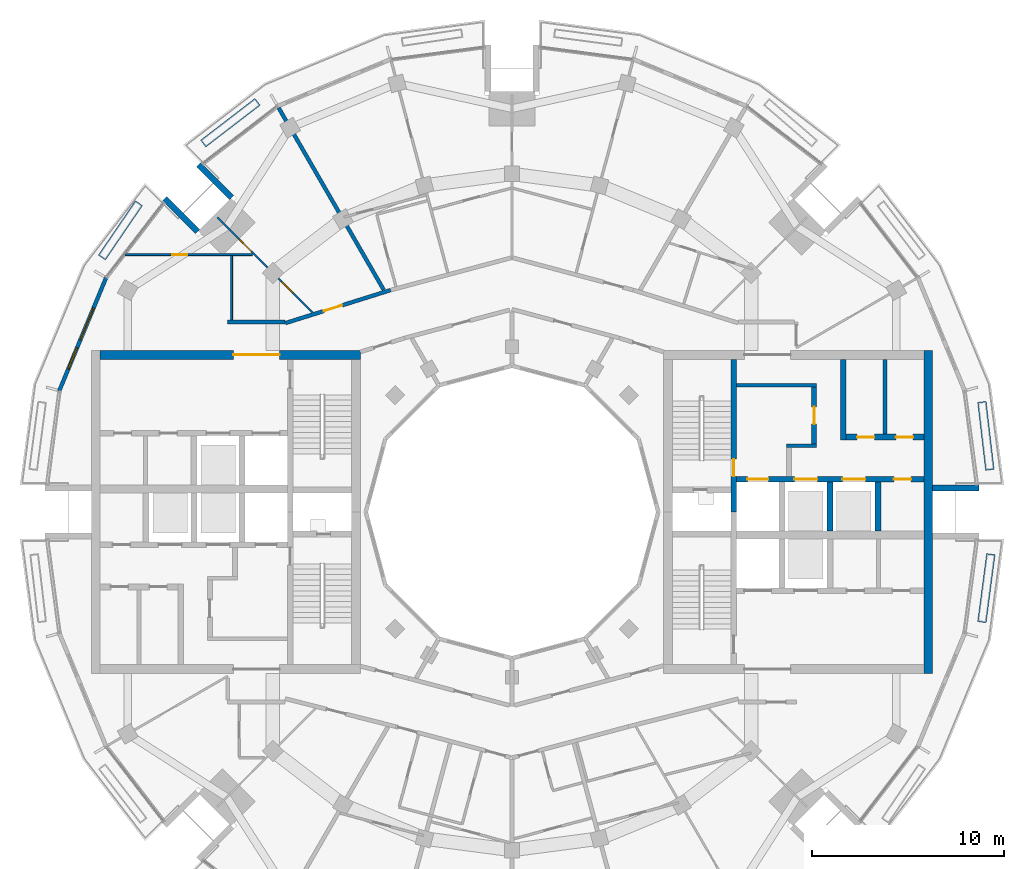
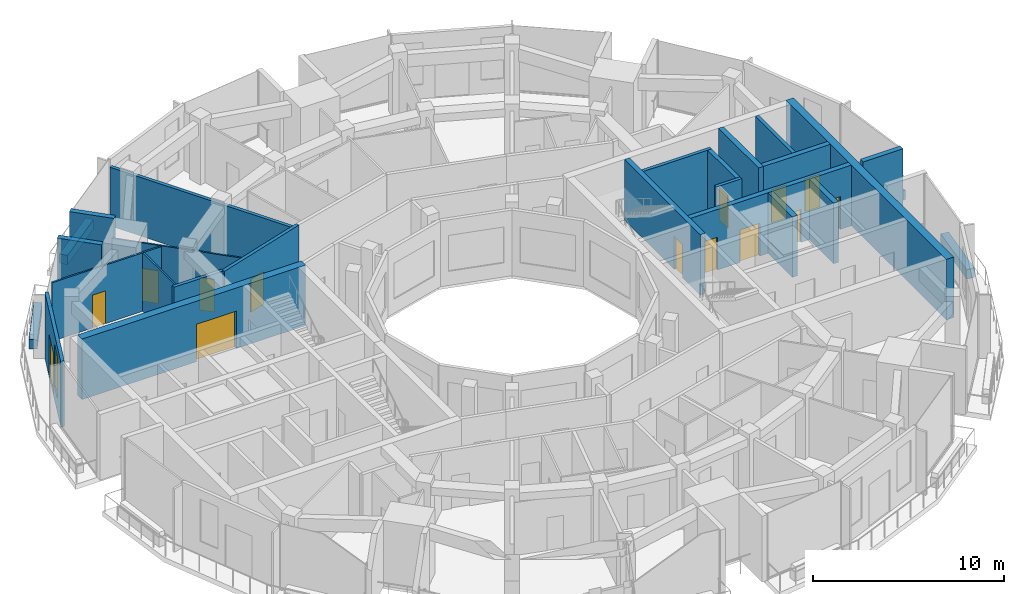
# One storey, part 12 of 17: 26 walls, 14 doors, 1 window, 15 openings.
"""IFC4 building model written with IfcOpenShell, lengths in metres."""

from ifc_helpers import new_model, si_unit, direction, frame, frame_2d, origin, place, context, subcontext, project, spatial, rectangle, extrude, material, layer, layer_set, type_object, element, fill, save


model = new_model("IFC4")

# Units and contexts
model_context = context("Model", 3, precision=1e-05, world=origin(), true_north=direction((0.0, 1.0)))
body_context = subcontext(model_context, "Body", "Model", "MODEL_VIEW")
ifc_project = project(units=[si_unit("LENGTHUNIT", "METRE"), si_unit("AREAUNIT", "SQUARE_METRE"), si_unit("VOLUMEUNIT", "CUBIC_METRE"), si_unit("PLANEANGLEUNIT", "RADIAN"), si_unit("MASSUNIT", "GRAM", prefix="KILO")], contexts=[model_context])

# Site, building, storey
site_placement = place(None, origin())
site = spatial("IfcSite", under=ifc_project, at=site_placement, CompositionType="ELEMENT")
building_placement = place(site_placement, origin())
building = spatial("IfcBuilding", under=site, at=building_placement, Name="Torre Brocal", CompositionType="ELEMENT")
storey_placement = place(building_placement, frame((0.0, 0.0, 275.699951171875)))
storey = spatial("IfcBuildingStorey", under=building, at=storey_placement, Name="L63", CompositionType="ELEMENT", Elevation=275.699951171875)

# Walls
ifc_material_1 = material(Name="Masonry block", Category="masonry")
ifc_layer_1 = layer(ifc_material_1, 0.199951171875)
ifc_layer_set_1 = layer_set([ifc_layer_1], Name="Masonry block")
wall_type_1 = type_object("IfcWallType", Name="CORE PARTITION 200", PredefinedType="PARTITIONING", material=ifc_layer_set_1)
wall_1_placement = place(storey_placement, frame((99.425048828125, 79.050048828125, 0.0), z_axis=(0.0, 0.0, 1.0), x_axis=(0.0, 1.0, 0.0)))
element("IfcWall", 1, at=wall_1_placement, inside=storey, type_object=wall_type_1, Name="Wall CP200", PredefinedType="PARTITIONING", context=body_context, shape_type="SweptSolid", body=[
    extrude(rectangle(XDim=3.89990234375, YDim=0.199951171875, at=frame_2d((1.949951171875, 0.0))), origin(), (0.0, 0.0, 1.0), 3.880126953125),
])
ifc_material_2 = material(Name="Concrete C50", Category="concrete")
ifc_layer_2 = layer(ifc_material_2, 0.199951171875)
ifc_layer_set_2 = layer_set([ifc_layer_2], Name="Concrete C50")
wall_type_2 = type_object("IfcWallType", Name="CORE WALL 200 C50", PredefinedType="SHEAR", material=ifc_layer_set_2)
wall_2_placement = place(storey_placement, frame((91.699951171875, 81.60009765625, 0.0), z_axis=(0.0, 0.0, 1.0), x_axis=(1.0, 0.0, 0.0)))
element("IfcWall", 2, at=wall_2_placement, inside=storey, type_object=wall_type_2, Name="Wall CW200-50", PredefinedType="SHEAR", context=body_context, shape_type="SweptSolid", body=[
    extrude(rectangle(XDim=4.150146484375, YDim=0.199951171875, at=frame_2d((2.0751953125, 0.0))), origin(), (0.0, 0.0, 1.0), 3.880126953125),
])
wall_3_placement = place(storey_placement, frame((94.300048828125, 78.449951171875, 0.0), z_axis=(0.0, 0.0, 1.0), x_axis=(1.0, 0.0, 0.0)))
element("IfcWall", 3, at=wall_3_placement, inside=storey, type_object=wall_type_2, Name="Wall CW200-50", PredefinedType="SHEAR", context=body_context, shape_type="SweptSolid", body=[
    extrude(rectangle(XDim=1.550048828125, YDim=0.199951171875, at=frame_2d((0.77490234375, 0.0))), origin(), (0.0, 0.0, 1.0), 3.880126953125),
])

# Wall, opening, door
ifc_material_3 = material(Name="Concrete C50", Category="concrete")
ifc_layer_3 = layer(ifc_material_3, 0.25)
ifc_layer_set_3 = layer_set([ifc_layer_3], Name="Concrete C50")
wall_type_3 = type_object("IfcWallType", Name="CORE WALL 250 C50", PredefinedType="SHEAR", material=ifc_layer_set_3)
wall_4_placement = place(storey_placement, frame((95.72509765625, 78.550048828125, 0.0), z_axis=(0.0, 0.0, 1.0), x_axis=(0.0, 1.0, 0.0)))
wall_4 = element("IfcWall", 4, at=wall_4_placement, inside=storey, type_object=wall_type_3, Name="Wall CW250-50", PredefinedType="SHEAR", context=body_context, shape_type="SweptSolid", body=[
    extrude(rectangle(XDim=2.949951171875, YDim=0.25, at=frame_2d((1.47509765625, 0.0))), origin(), (0.0, 0.0, 1.0), 3.880126953125),
])
opening_1_placement = place(wall_4_placement, frame((1.02490234375, 0.0, 0.0)))
opening_1 = element("IfcOpeningElement", 5, at=opening_1_placement, cuts=wall_4, Name="Opening E-D26", PredefinedType="OPENING", context=body_context, shape_type="SweptSolid", body=[
    extrude(rectangle(XDim=0.89990234375, YDim=2.10009765625, at=frame_2d((0.449951171875, 1.050048828125))), frame((0.0, 0.135009765625, 0.0), z_axis=(0.0, -1.0, 0.0), x_axis=(1.0, 0.0, 0.0)), (0.0, 0.0, 1.0), 0.27001953125),
])
ifc_material_4 = material(Name="Steel A653", Category="steel")
door_type_1 = type_object("IfcDoorType", Name="LOBBY DOOR FD120 900X2100", OperationType="SINGLE_SWING_RIGHT", PredefinedType="DOOR", material=ifc_material_4)
door_1_placement = place(opening_1_placement, origin())
door_1 = element("IfcDoor", 6, at=door_1_placement, inside=storey, type_object=door_type_1, Name="Door E-D26", OperationType="SINGLE_SWING_LEFT", OverallHeight=2.10009765625, OverallWidth=0.89990234375, PredefinedType="DOOR", context=body_context, shape_type="SweptSolid", body=[
    extrude(rectangle(XDim=0.89990234375, YDim=2.10009765625, at=frame_2d((0.449951171875, 1.050048828125))), frame((0.0, 0.02490234375, 0.0), z_axis=(0.0, -1.0, 0.0), x_axis=(1.0, 0.0, 0.0)), (0.0, 0.0, 1.0), 0.050048828125),
])
fill(opening_1, door_1)

ifc_material_5 = material(Name="Concrete C50", Category="concrete")
ifc_layer_4 = layer(ifc_material_5, 0.300048828125)
ifc_layer_set_4 = layer_set([ifc_layer_4], Name="Concrete C50")
wall_type_4 = type_object("IfcWallType", Name="CORE WALL 300 C50", PredefinedType="SHEAR", material=ifc_layer_set_4)
wall_5_placement = place(storey_placement, frame((91.550048828125, 75.0, 0.0), z_axis=(0.0, 0.0, 1.0), x_axis=(0.0, 1.0, 0.0)))
wall_5 = element("IfcWall", 7, at=wall_5_placement, inside=storey, type_object=wall_type_4, Name="Wall CW300-50", PredefinedType="SHEAR", context=body_context, shape_type="SweptSolid", body=[
    extrude(rectangle(XDim=7.949951171875, YDim=0.300048828125, at=frame_2d((3.97509765625, 0.0))), origin(), (0.0, 0.0, 1.0), 3.880126953125),
])
opening_2_placement = place(wall_5_placement, frame((1.85009765625, 0.0, 0.0)))
opening_2 = element("IfcOpeningElement", 8, at=opening_2_placement, cuts=wall_5, Name="Opening E-D02", PredefinedType="OPENING", context=body_context, shape_type="SweptSolid", body=[
    extrude(rectangle(XDim=0.89990234375, YDim=2.10009765625, at=frame_2d((0.449951171875, 1.050048828125))), frame((0.0, 0.159912109375, 0.0), z_axis=(0.0, -1.0, 0.0), x_axis=(1.0, 0.0, 0.0)), (0.0, 0.0, 1.0), 0.320068359375),
])
ifc_material_6 = material(Name="Steel A653", Category="steel")
door_type_2 = type_object("IfcDoorType", Name="STAIR DOOR FD120 900X2100", OperationType="SINGLE_SWING_RIGHT", PredefinedType="DOOR", material=ifc_material_6)
door_2_placement = place(opening_2_placement, origin())
door_2 = element("IfcDoor", 9, at=door_2_placement, inside=storey, type_object=door_type_2, Name="Door E-D02", OperationType="SINGLE_SWING_LEFT", OverallHeight=2.10009765625, OverallWidth=0.89990234375, PredefinedType="DOOR", context=body_context, shape_type="SweptSolid", body=[
    extrude(rectangle(XDim=0.89990234375, YDim=2.10009765625, at=frame_2d((0.449951171875, 1.050048828125))), frame((0.0, 0.02490234375, 0.0), z_axis=(0.0, -1.0, 0.0), x_axis=(1.0, 0.0, 0.0)), (0.0, 0.0, 1.0), 0.050048828125),
])
fill(opening_2, door_2)

# Wall, openings, doors
wall_6_placement = place(storey_placement, frame((91.699951171875, 76.699951171875, 0.0), z_axis=(0.0, 0.0, 1.0), x_axis=(1.0, 0.0, 0.0)))
wall_6 = element("IfcWall", 10, at=wall_6_placement, inside=storey, type_object=wall_type_4, Name="Wall CW300-50", PredefinedType="SHEAR", context=body_context, shape_type="SweptSolid", body=[
    extrude(rectangle(XDim=9.75, YDim=0.300048828125, at=frame_2d((4.875, 0.0))), origin(), (0.0, 0.0, 1.0), 3.880126953125),
])
opening_3_placement = place(wall_6_placement, frame((0.550048828125, 0.0, 0.0)))
opening_3 = element("IfcOpeningElement", 11, at=opening_3_placement, cuts=wall_6, Name="Opening LD", PredefinedType="OPENING", context=body_context, shape_type="SweptSolid", body=[
    extrude(rectangle(XDim=1.10009765625, YDim=2.10009765625, at=frame_2d((0.550048828125, 1.050048828125))), frame((0.0, 0.159912109375, 0.0), z_axis=(0.0, -1.0, 0.0), x_axis=(1.0, 0.0, 0.0)), (0.0, 0.0, 1.0), 0.320068359375),
])
opening_4_placement = place(wall_6_placement, frame((3.0, 0.0, 0.0)))
opening_4 = element("IfcOpeningElement", 12, at=opening_4_placement, cuts=wall_6, Name="Opening LD12", PredefinedType="OPENING", context=body_context, shape_type="SweptSolid", body=[
    extrude(rectangle(XDim=1.199951171875, YDim=2.10009765625, at=frame_2d((0.60009765625, 1.050048828125))), frame((0.0, 0.159912109375, 0.0), z_axis=(0.0, -1.0, 0.0), x_axis=(1.0, 0.0, 0.0)), (0.0, 0.0, 1.0), 0.320068359375),
])
opening_5_placement = place(wall_6_placement, frame((5.5, 0.0, 0.0)))
opening_5 = element("IfcOpeningElement", 13, at=opening_5_placement, cuts=wall_6, Name="Opening LD12", PredefinedType="OPENING", context=body_context, shape_type="SweptSolid", body=[
    extrude(rectangle(XDim=1.199951171875, YDim=2.10009765625, at=frame_2d((0.60009765625, 1.050048828125))), frame((0.0, 0.159912109375, 0.0), z_axis=(0.0, -1.0, 0.0), x_axis=(1.0, 0.0, 0.0)), (0.0, 0.0, 1.0), 0.320068359375),
])
opening_6_placement = place(wall_6_placement, frame((8.175048828125, 0.0, 0.0)))
opening_6 = element("IfcOpeningElement", 14, at=opening_6_placement, cuts=wall_6, Name="Opening E-D04", PredefinedType="OPENING", context=body_context, shape_type="SweptSolid", body=[
    extrude(rectangle(XDim=0.89990234375, YDim=2.10009765625, at=frame_2d((0.449951171875, 1.050048828125))), frame((0.0, 0.159912109375, 0.0), z_axis=(0.0, -1.0, 0.0), x_axis=(1.0, 0.0, 0.0)), (0.0, 0.0, 1.0), 0.320068359375),
])
ifc_material_7 = material(Name="Stainless steel AISI 316", Category="steel")
door_type_3 = type_object("IfcDoorType", Name="LIFT LANDING DOOR 1100X2100", OperationType="DOUBLE_DOOR_SLIDING", PredefinedType="DOOR", material=ifc_material_7)
door_3_placement = place(opening_3_placement, origin())
door_3 = element("IfcDoor", 15, at=door_3_placement, inside=storey, type_object=door_type_3, Name="Door LD", OperationType="DOUBLE_DOOR_SLIDING", OverallHeight=2.10009765625, OverallWidth=1.10009765625, PredefinedType="DOOR", context=body_context, shape_type="SweptSolid", body=[
    extrude(rectangle(XDim=1.10009765625, YDim=2.10009765625, at=frame_2d((0.550048828125, 1.050048828125))), frame((0.0, 0.02490234375, 0.0), z_axis=(0.0, -1.0, 0.0), x_axis=(1.0, 0.0, 0.0)), (0.0, 0.0, 1.0), 0.050048828125),
])
fill(opening_3, door_3)
ifc_material_8 = material(Name="Stainless steel AISI 316", Category="steel")
door_type_4 = type_object("IfcDoorType", Name="LIFT LANDING DOOR 1200X2100", OperationType="DOUBLE_DOOR_SLIDING", PredefinedType="DOOR", material=ifc_material_8)
door_4_placement = place(opening_4_placement, origin())
door_4 = element("IfcDoor", 16, at=door_4_placement, inside=storey, type_object=door_type_4, Name="Door LD12", OperationType="DOUBLE_DOOR_SLIDING", OverallHeight=2.10009765625, OverallWidth=1.199951171875, PredefinedType="DOOR", context=body_context, shape_type="SweptSolid", body=[
    extrude(rectangle(XDim=1.199951171875, YDim=2.10009765625, at=frame_2d((0.60009765625, 1.050048828125))), frame((0.0, 0.02490234375, 0.0), z_axis=(0.0, -1.0, 0.0), x_axis=(1.0, 0.0, 0.0)), (0.0, 0.0, 1.0), 0.050048828125),
])
fill(opening_4, door_4)
door_5_placement = place(opening_5_placement, origin())
door_5 = element("IfcDoor", 17, at=door_5_placement, inside=storey, type_object=door_type_4, Name="Door LD12", OperationType="DOUBLE_DOOR_SLIDING", OverallHeight=2.10009765625, OverallWidth=1.199951171875, PredefinedType="DOOR", context=body_context, shape_type="SweptSolid", body=[
    extrude(rectangle(XDim=1.199951171875, YDim=2.10009765625, at=frame_2d((0.60009765625, 1.050048828125))), frame((0.0, 0.02490234375, 0.0), z_axis=(0.0, -1.0, 0.0), x_axis=(1.0, 0.0, 0.0)), (0.0, 0.0, 1.0), 0.050048828125),
])
fill(opening_5, door_5)
ifc_material_9 = material(Name="Steel A653", Category="steel")
door_type_5 = type_object("IfcDoorType", Name="ROOM DOOR FD30S 900X2100", OperationType="SINGLE_SWING_LEFT", PredefinedType="DOOR", material=ifc_material_9)
door_6_placement = place(opening_6_placement, frame((0.89990234375, 0.0, 0.0), z_axis=(0.0, 0.0, 1.0), x_axis=(-1.0, 0.0, 0.0)))
door_6 = element("IfcDoor", 18, at=door_6_placement, inside=storey, type_object=door_type_5, Name="Door E-D04", OperationType="SINGLE_SWING_LEFT", OverallHeight=2.10009765625, OverallWidth=0.89990234375, PredefinedType="DOOR", context=body_context, shape_type="SweptSolid", body=[
    extrude(rectangle(XDim=0.89990234375, YDim=2.10009765625, at=frame_2d((0.449951171875, 1.050048828125))), frame((0.0, 0.02490234375, 0.0), z_axis=(0.0, -1.0, 0.0), x_axis=(1.0, 0.0, 0.0)), (0.0, 0.0, 1.0), 0.050048828125),
])
fill(opening_6, door_6)

# Walls
for number, where, z_axis, x_axis, name in (
    (19, (96.550048828125, 74.0, 0.0), (0.0, 0.0, 1.0), (0.0, 1.0, 0.0), "Wall CW300-50"),
    (20, (99.050048828125, 74.0, 0.0), (0.0, 0.0, 1.0), (0.0, 1.0, 0.0), "Wall CW300-50"),
):
    element("IfcWall", number, at=place(storey_placement, frame(where, z_axis=z_axis, x_axis=x_axis)), inside=storey, type_object=wall_type_4, Name=name, PredefinedType="SHEAR", context=body_context, shape_type="SweptSolid", body=[
        extrude(rectangle(XDim=2.550048828125, YDim=0.300048828125, at=frame_2d((1.27490234375, 0.0))), origin(), (0.0, 0.0, 1.0), 3.880126953125),
    ])
wall_7_placement = place(storey_placement, frame((97.25, 78.75, 0.0), z_axis=(0.0, 0.0, 1.0), x_axis=(0.0, 1.0, 0.0)))
element("IfcWall", 21, at=wall_7_placement, inside=storey, type_object=wall_type_4, Name="Wall CW300-50", PredefinedType="SHEAR", context=body_context, shape_type="SweptSolid", body=[
    extrude(rectangle(XDim=4.199951171875, YDim=0.300048828125, at=frame_2d((2.10009765625, 0.0))), origin(), (0.0, 0.0, 1.0), 3.880126953125),
])

# Wall, openings, doors
wall_8_placement = place(storey_placement, frame((97.39990234375, 78.89990234375, 0.0), z_axis=(0.0, 0.0, 1.0), x_axis=(1.0, 0.0, 0.0)))
wall_8 = element("IfcWall", 22, at=wall_8_placement, inside=storey, type_object=wall_type_4, Name="Wall CW300-50", PredefinedType="SHEAR", context=body_context, shape_type="SweptSolid", body=[
    extrude(rectangle(XDim=4.050048828125, YDim=0.300048828125, at=frame_2d((2.02490234375, 0.0))), origin(), (0.0, 0.0, 1.0), 3.880126953125),
])
opening_7_placement = place(wall_8_placement, frame((0.5625, 0.0, 0.0)))
opening_7 = element("IfcOpeningElement", 23, at=opening_7_placement, cuts=wall_8, Name="Opening E-D28", PredefinedType="OPENING", context=body_context, shape_type="SweptSolid", body=[
    extrude(rectangle(XDim=0.89990234375, YDim=2.10009765625, at=frame_2d((0.449951171875, 1.050048828125))), frame((0.0, 0.159912109375, 0.0), z_axis=(0.0, -1.0, 0.0), x_axis=(1.0, 0.0, 0.0)), (0.0, 0.0, 1.0), 0.320068359375),
])
opening_8_placement = place(wall_8_placement, frame((2.58740234375, 0.0, 0.0)))
opening_8 = element("IfcOpeningElement", 24, at=opening_8_placement, cuts=wall_8, Name="Opening E-D09", PredefinedType="OPENING", context=body_context, shape_type="SweptSolid", body=[
    extrude(rectangle(XDim=0.89990234375, YDim=2.10009765625, at=frame_2d((0.449951171875, 1.050048828125))), frame((0.0, 0.159912109375, 0.0), z_axis=(0.0, -1.0, 0.0), x_axis=(1.0, 0.0, 0.0)), (0.0, 0.0, 1.0), 0.320068359375),
])
door_7_placement = place(opening_7_placement, origin())
door_7 = element("IfcDoor", 25, at=door_7_placement, inside=storey, type_object=door_type_5, Name="Door E-D28", OperationType="SINGLE_SWING_RIGHT", OverallHeight=2.10009765625, OverallWidth=0.89990234375, PredefinedType="DOOR", context=body_context, shape_type="SweptSolid", body=[
    extrude(rectangle(XDim=0.89990234375, YDim=2.10009765625, at=frame_2d((0.449951171875, 1.050048828125))), frame((0.0, 0.02490234375, 0.0), z_axis=(0.0, -1.0, 0.0), x_axis=(1.0, 0.0, 0.0)), (0.0, 0.0, 1.0), 0.050048828125),
])
fill(opening_7, door_7)
door_8_placement = place(opening_8_placement, origin())
door_8 = element("IfcDoor", 26, at=door_8_placement, inside=storey, type_object=door_type_5, Name="Door E-D09", OperationType="SINGLE_SWING_LEFT", OverallHeight=2.10009765625, OverallWidth=0.89990234375, PredefinedType="DOOR", context=body_context, shape_type="SweptSolid", body=[
    extrude(rectangle(XDim=0.89990234375, YDim=2.10009765625, at=frame_2d((0.449951171875, 1.050048828125))), frame((0.0, 0.02490234375, 0.0), z_axis=(0.0, -1.0, 0.0), x_axis=(1.0, 0.0, 0.0)), (0.0, 0.0, 1.0), 0.050048828125),
])
fill(opening_8, door_8)

# Wall
ifc_material_10 = material(Name="Concrete C50", Category="concrete")
ifc_layer_5 = layer(ifc_material_10, 0.449951171875)
ifc_layer_set_5 = layer_set([ifc_layer_5], Name="Concrete C50")
wall_type_5 = type_object("IfcWallType", Name="CORE WALL 450 C50", PredefinedType="SHEAR", material=ifc_layer_set_5)
wall_9_placement = place(storey_placement, frame((101.675048828125, 66.60009765625, 0.0), z_axis=(0.0, 0.0, 1.0), x_axis=(0.0, 1.0, 0.0)))
element("IfcWall", 27, at=wall_9_placement, inside=storey, type_object=wall_type_5, Name="Wall CW450-50", PredefinedType="SHEAR", context=body_context, shape_type="SweptSolid", body=[
    extrude(rectangle(XDim=16.7998046875, YDim=0.449951171875, at=frame_2d((8.39990234375, 0.0))), origin(), (0.0, 0.0, 1.0), 3.880126953125),
])

# Wall, opening, door
wall_10_placement = place(storey_placement, frame((72.10009765625, 83.175048828125, 0.0), z_axis=(0.0, 0.0, 1.0), x_axis=(-1.0, 0.0, 0.0)))
wall_10 = element("IfcWall", 28, at=wall_10_placement, inside=storey, type_object=wall_type_5, Name="Wall CW450-50", PredefinedType="SHEAR", context=body_context, shape_type="SweptSolid", body=[
    extrude(rectangle(XDim=13.550048828125, YDim=0.449951171875, at=frame_2d((6.77490234375, 0.0))), origin(), (0.0, 0.0, 1.0), 3.880126953125),
])
opening_9_placement = place(wall_10_placement, frame((4.199951171875, 0.0, 0.0)))
opening_9 = element("IfcOpeningElement", 29, at=opening_9_placement, cuts=wall_10, Name="Opening W-D34", PredefinedType="OPENING", context=body_context, shape_type="SweptSolid", body=[
    extrude(rectangle(XDim=2.39990234375, YDim=2.39990234375, at=frame_2d((1.199951171875, 1.199951171875))), frame((0.0, 0.23486328125, 0.0), z_axis=(0.0, -1.0, 0.0), x_axis=(1.0, 0.0, 0.0)), (0.0, 0.0, 1.0), 0.469970703125),
])
ifc_material_11 = material(Name="Steel A653", Category="steel")
door_type_6 = type_object("IfcDoorType", Name="DOUBLE FIRE DOOR FD90 2400X2400", OperationType="DOUBLE_DOOR_SINGLE_SWING", PredefinedType="DOOR", material=ifc_material_11)
door_9_placement = place(opening_9_placement, origin())
door_9 = element("IfcDoor", 30, at=door_9_placement, inside=storey, type_object=door_type_6, Name="Door W-D34", OperationType="DOUBLE_DOOR_SINGLE_SWING", OverallHeight=2.39990234375, OverallWidth=2.39990234375, PredefinedType="DOOR", context=body_context, shape_type="SweptSolid", body=[
    extrude(rectangle(XDim=2.39990234375, YDim=2.39990234375, at=frame_2d((1.199951171875, 1.199951171875))), frame((0.0, 0.02490234375, 0.0), z_axis=(0.0, -1.0, 0.0), x_axis=(1.0, 0.0, 0.0)), (0.0, 0.0, 1.0), 0.050048828125),
])
fill(opening_9, door_9)

# Wall, openings, door, window
ifc_material_12 = material(Name="Concrete C40", Category="concrete")
ifc_layer_6 = layer(ifc_material_12, 0.199951171875)
ifc_layer_set_6 = layer_set([ifc_layer_6], Name="Concrete C40")
wall_type_6 = type_object("IfcWallType", Name="EXTERNAL WALL 200", PredefinedType="NOTDEFINED", material=ifc_layer_set_6)
wall_11_placement = place(storey_placement, frame((58.86962890625, 87.199462890625, 0.0), z_axis=(0.0, 0.0, 1.0), x_axis=(-0.382690319485, -0.923876679743, 0.0)))
wall_11 = element("IfcWall", 31, at=wall_11_placement, inside=storey, type_object=wall_type_6, Name="EXTERNAL WALL", PredefinedType="NOTDEFINED", context=body_context, shape_type="SweptSolid", body=[
    extrude(rectangle(XDim=6.369384765625, YDim=0.199951171875, at=frame_2d((3.1845703125, 0.0))), origin(), (0.0, 0.0, 1.0), 4.199951171875),
])
opening_10_placement = place(wall_11_placement, frame((1.699951171875, 0.0, 0.0)))
opening_10 = element("IfcOpeningElement", 32, at=opening_10_placement, cuts=wall_11, Name="Opening L63-E04", PredefinedType="OPENING", context=body_context, shape_type="SweptSolid", body=[
    extrude(rectangle(XDim=1.800048828125, YDim=2.699951171875, at=frame_2d((0.89990234375, 1.35009765625))), frame((0.0, 0.10986328125, 0.0), z_axis=(0.0, -1.0, 0.0), x_axis=(1.0, 0.0, 0.0)), (0.0, 0.0, 1.0), 0.219970703125),
])
opening_11_placement = place(wall_11_placement, frame((3.949951171875, 0.0, 0.89990234375)))
opening_11 = element("IfcOpeningElement", 33, at=opening_11_placement, cuts=wall_11, Name="Opening W9", PredefinedType="OPENING", context=body_context, shape_type="SweptSolid", body=[
    extrude(rectangle(XDim=1.199951171875, YDim=2.699951171875, at=frame_2d((0.60009765625, 1.35009765625))), frame((0.0, 0.10986328125, 0.0), z_axis=(0.0, -1.0, 0.0), x_axis=(1.0, 0.0, 0.0)), (0.0, 0.0, 1.0), 0.219970703125),
])
ifc_material_13 = material(Name="Aluminium and glass", Category="aluminium")
door_type_7 = type_object("IfcDoorType", Name="PENTHOUSE TERRACE DOUBLE DOOR 1800X2700", OperationType="DOUBLE_DOOR_SINGLE_SWING", PredefinedType="DOOR", material=ifc_material_13)
door_10_placement = place(opening_10_placement, origin())
door_10 = element("IfcDoor", 34, at=door_10_placement, inside=storey, type_object=door_type_7, Name="DOOR L63-E04", OperationType="DOUBLE_DOOR_SINGLE_SWING", OverallHeight=2.699951171875, OverallWidth=1.800048828125, PredefinedType="DOOR", context=body_context, shape_type="SweptSolid", body=[
    extrude(rectangle(XDim=1.800048828125, YDim=2.699951171875, at=frame_2d((0.89990234375, 1.35009765625))), frame((0.0, 0.02490234375, 0.0), z_axis=(0.0, -1.0, 0.0), x_axis=(1.0, 0.0, 0.0)), (0.0, 0.0, 1.0), 0.050048828125),
])
fill(opening_10, door_10)
ifc_material_14 = material(Name="Aluminium and glass", Category="aluminium")
window_type = type_object("IfcWindowType", Name="PENTHOUSE TERRACE WINDOW 1200X2700", PartitioningType="SINGLE_PANEL", PredefinedType="WINDOW", material=ifc_material_14)
window_placement = place(opening_11_placement, origin())
window = element("IfcWindow", 35, at=window_placement, inside=storey, type_object=window_type, Name="PENTHOUSE TERRACE WINDOW 1200X2700", OverallHeight=2.699951171875, OverallWidth=1.199951171875, PartitioningType="SINGLE_PANEL", PredefinedType="WINDOW", context=body_context, shape_type="SweptSolid", body=[
    extrude(rectangle(XDim=1.199951171875, YDim=2.699951171875, at=frame_2d((0.60009765625, 1.35009765625))), frame((0.0, 0.030029296875, 0.0), z_axis=(0.0, -1.0, 0.0), x_axis=(1.0, 0.0, 0.0)), (0.0, 0.0, 1.0), 0.06005859375),
])
fill(opening_11, window)

# Walls
ifc_material_15 = material(Name="Concrete C50", Category="concrete")
ifc_layer_7 = layer(ifc_material_15, 0.300048828125)
ifc_layer_set_7 = layer_set([ifc_layer_7], Name="Concrete C50")
wall_type_7 = type_object("IfcWallType", Name="NOTCH RETURN WALL 300 C50", PredefinedType="NOTDEFINED", material=ifc_layer_set_7)
wall_12_placement = place(storey_placement, frame((101.89990234375, 76.25, 0.0), z_axis=(0.0, 0.0, 1.0), x_axis=(1.0, 0.0, 0.0)))
element("IfcWall", 36, at=wall_12_placement, inside=storey, type_object=wall_type_7, Name="NOTCH RETURN WALL", PredefinedType="NOTDEFINED", context=body_context, shape_type="SweptSolid", body=[
    extrude(rectangle(XDim=2.415771484375, YDim=0.300048828125, at=frame_2d((1.2080078125, 0.0))), origin(), (0.0, 0.0, 1.0), 4.199951171875),
])
for number, where, z_axis, x_axis, name in (
    (37, (65.398193359375, 91.36962890625, 0.0), (0.0, 0.0, 1.0), (-0.707106781187, 0.707106781187, 0.0), "NOTCH RETURN WALL"),
    (38, (63.63037109375, 89.601806640625, 0.0), (0.0, 0.0, 1.0), (-0.707106781187, 0.707106781187, 0.0), "NOTCH RETURN WALL"),
):
    element("IfcWall", number, at=place(storey_placement, frame(where, z_axis=z_axis, x_axis=x_axis)), inside=storey, type_object=wall_type_7, Name=name, PredefinedType="NOTDEFINED", context=body_context, shape_type="SweptSolid", body=[
        extrude(rectangle(XDim=2.41552734375, YDim=0.300048828125, at=frame_2d((1.207763671875, 0.0))), origin(), (0.0, 0.0, 1.0), 4.199951171875),
    ])

# Wall, opening, door
ifc_material_16 = material(Name="Gypsum board", Category="Gypsum")
ifc_layer_8 = layer(ifc_material_16, 0.10009765625)
ifc_layer_set_8 = layer_set([ifc_layer_8], Name="Gypsum board")
wall_type_8 = type_object("IfcWallType", Name="PARTITION 100", PredefinedType="PARTITIONING", material=ifc_layer_set_8)
wall_13_placement = place(storey_placement, frame((59.8701171875, 88.39990234375, 0.0), z_axis=(0.0, 0.0, 1.0), x_axis=(1.0, 0.0, 0.0)))
wall_13 = element("IfcWall", 39, at=wall_13_placement, inside=storey, type_object=wall_type_8, Name="BATHROOM WALL", PredefinedType="PARTITIONING", context=body_context, shape_type="SweptSolid", body=[
    extrude(rectangle(XDim=6.619873046875, YDim=0.10009765625, at=frame_2d((3.31005859375, 0.0))), origin(), (0.0, 0.0, 1.0), 3.75),
])
opening_12_placement = place(wall_13_placement, frame((2.429931640625, 0.0, 0.0)))
opening_12 = element("IfcOpeningElement", 40, at=opening_12_placement, cuts=wall_13, Name="Opening N01-D16", PredefinedType="OPENING", context=body_context, shape_type="SweptSolid", body=[
    extrude(rectangle(XDim=0.800048828125, YDim=2.10009765625, at=frame_2d((0.39990234375, 1.050048828125))), frame((0.0, 0.06005859375, 0.0), z_axis=(0.0, -1.0, 0.0), x_axis=(1.0, 0.0, 0.0)), (0.0, 0.0, 1.0), 0.1201171875),
])
ifc_material_17 = material(Name="Timber", Category="wood")
door_type_8 = type_object("IfcDoorType", Name="BATHROOM DOOR 800X2100", OperationType="SINGLE_SWING_LEFT", PredefinedType="DOOR", material=ifc_material_17)
door_11_placement = place(opening_12_placement, frame((0.800048828125, 0.0, 0.0), z_axis=(0.0, 0.0, 1.0), x_axis=(-1.0, 0.0, 0.0)))
door_11 = element("IfcDoor", 41, at=door_11_placement, inside=storey, type_object=door_type_8, Name="N01-D16", OperationType="SINGLE_SWING_LEFT", OverallHeight=2.10009765625, OverallWidth=0.800048828125, PredefinedType="DOOR", context=body_context, shape_type="SweptSolid", body=[
    extrude(rectangle(XDim=0.800048828125, YDim=2.10009765625, at=frame_2d((0.39990234375, 1.050048828125))), frame((0.0, 0.02490234375, 0.0), z_axis=(0.0, -1.0, 0.0), x_axis=(1.0, 0.0, 0.0)), (0.0, 0.0, 1.0), 0.050048828125),
])
fill(opening_12, door_11)

# Wall, openings, doors
wall_14_placement = place(storey_placement, frame((64.655517578125, 90.344482421875, 0.0), z_axis=(0.0, 0.0, 1.0), x_axis=(0.707106781187, -0.707106781187, 0.0)))
wall_14 = element("IfcWall", 42, at=wall_14_placement, inside=storey, type_object=wall_type_8, Name="BATHROOM WALL", PredefinedType="PARTITIONING", context=body_context, shape_type="SweptSolid", body=[
    extrude(rectangle(XDim=6.99951171875, YDim=0.10009765625, at=frame_2d((3.499755859375, 0.0))), origin(), (0.0, 0.0, 1.0), 3.75),
])
opening_13_placement = place(wall_14_placement, frame((1.619384765625, 0.0, 0.0)))
opening_13 = element("IfcOpeningElement", 43, at=opening_13_placement, cuts=wall_14, Name="Opening N01-D15", PredefinedType="OPENING", context=body_context, shape_type="SweptSolid", body=[
    extrude(rectangle(XDim=0.89990234375, YDim=2.10009765625, at=frame_2d((0.449951171875, 1.050048828125))), frame((0.0, 0.06005859375, 0.0), z_axis=(0.0, -1.0, 0.0), x_axis=(1.0, 0.0, 0.0)), (0.0, 0.0, 1.0), 0.1201171875),
])
opening_14_placement = place(wall_14_placement, frame((4.75537109375, 0.0, 0.0)))
opening_14 = element("IfcOpeningElement", 44, at=opening_14_placement, cuts=wall_14, Name="Opening N01-D17", PredefinedType="OPENING", context=body_context, shape_type="SweptSolid", body=[
    extrude(rectangle(XDim=0.800048828125, YDim=2.10009765625, at=frame_2d((0.39990234375, 1.050048828125))), frame((0.0, 0.06005859375, 0.0), z_axis=(0.0, -1.0, 0.0), x_axis=(1.0, 0.0, 0.0)), (0.0, 0.0, 1.0), 0.1201171875),
])
door_12_placement = place(opening_14_placement, frame((0.800048828125, 0.0, 0.0), z_axis=(0.0, 0.0, 1.0), x_axis=(-1.0, 0.0, 0.0)))
door_12 = element("IfcDoor", 45, at=door_12_placement, inside=storey, type_object=door_type_8, Name="N01-D17", OperationType="SINGLE_SWING_LEFT", OverallHeight=2.10009765625, OverallWidth=0.800048828125, PredefinedType="DOOR", context=body_context, shape_type="SweptSolid", body=[
    extrude(rectangle(XDim=0.800048828125, YDim=2.10009765625, at=frame_2d((0.39990234375, 1.050048828125))), frame((0.0, 0.02490234375, 0.0), z_axis=(0.0, -1.0, 0.0), x_axis=(1.0, 0.0, 0.0)), (0.0, 0.0, 1.0), 0.050048828125),
])
fill(opening_14, door_12)
ifc_material_18 = material(Name="Timber", Category="wood")
door_type_9 = type_object("IfcDoorType", Name="ROOM DOOR 900X2100", OperationType="SINGLE_SWING_LEFT", PredefinedType="DOOR", material=ifc_material_18)
door_13_placement = place(opening_13_placement, frame((0.89990234375, 0.0, 0.0), z_axis=(0.0, 0.0, 1.0), x_axis=(-1.0, 0.0, 0.0)))
door_13 = element("IfcDoor", 46, at=door_13_placement, inside=storey, type_object=door_type_9, Name="N01-D15", OperationType="SINGLE_SWING_RIGHT", OverallHeight=2.10009765625, OverallWidth=0.89990234375, PredefinedType="DOOR", context=body_context, shape_type="SweptSolid", body=[
    extrude(rectangle(XDim=0.89990234375, YDim=2.10009765625, at=frame_2d((0.449951171875, 1.050048828125))), frame((0.0, 0.02490234375, 0.0), z_axis=(0.0, -1.0, 0.0), x_axis=(1.0, 0.0, 0.0)), (0.0, 0.0, 1.0), 0.050048828125),
])
fill(opening_13, door_13)

# Walls
wall_15_placement = place(storey_placement, frame((65.39990234375, 85.0, 0.0), z_axis=(0.0, 0.0, 1.0), x_axis=(0.0, 1.0, 0.0)))
element("IfcWall", 47, at=wall_15_placement, inside=storey, type_object=wall_type_8, Name="BATHROOM WALL", PredefinedType="PARTITIONING", context=body_context, shape_type="SweptSolid", body=[
    extrude(rectangle(XDim=3.35009765625, YDim=0.10009765625, at=frame_2d((1.675048828125, 0.0))), origin(), (0.0, 0.0, 1.0), 3.75),
])
ifc_material_19 = material(Name="Gypsum board", Category="Gypsum")
ifc_layer_9 = layer(ifc_material_19, 0.199951171875)
ifc_layer_set_9 = layer_set([ifc_layer_9], Name="Gypsum board")
wall_type_9 = type_object("IfcWallType", Name="PARTITION 200 EI60", PredefinedType="PARTITIONING", material=ifc_layer_set_9)
wall_16_placement = place(storey_placement, frame((65.199951171875, 84.89990234375, 0.0), z_axis=(0.0, 0.0, 1.0), x_axis=(1.0, 0.0, 0.0)))
element("IfcWall", 48, at=wall_16_placement, inside=storey, type_object=wall_type_9, Name="CORRIDOR WALL", PredefinedType="PARTITIONING", context=body_context, shape_type="SweptSolid", body=[
    extrude(rectangle(XDim=2.969970703125, YDim=0.199951171875, at=frame_2d((1.48486328125, 0.0))), origin(), (0.0, 0.0, 1.0), 3.75),
])
wall_17_placement = place(storey_placement, frame((67.8515625, 96.04248046875, 0.0), z_axis=(0.0, 0.0, 1.0), x_axis=(0.499960582802, -0.866048160118, 0.0)))
element("IfcWall", 49, at=wall_17_placement, inside=storey, type_object=wall_type_9, Name="BATHROOM WALL", PredefinedType="PARTITIONING", context=body_context, shape_type="SweptSolid", body=[
    extrude(rectangle(XDim=10.94580078125, YDim=0.199951171875, at=frame_2d((5.472900390625, 0.0))), origin(), (0.0, 0.0, 1.0), 3.75),
])

# Wall, opening, door
wall_18_placement = place(storey_placement, frame((68.199951171875, 84.833251953125, 0.0), z_axis=(0.0, 0.0, 1.0), x_axis=(0.954191968402, 0.299195065863, 0.0)))
wall_18 = element("IfcWall", 50, at=wall_18_placement, inside=storey, type_object=wall_type_9, Name="FLAT ENTRANCE WALL", PredefinedType="PARTITIONING", context=body_context, shape_type="SweptSolid", body=[
    extrude(rectangle(XDim=5.740478515625, YDim=0.199951171875, at=frame_2d((2.8701171875, 0.0))), origin(), (0.0, 0.0, 1.0), 3.75),
])
opening_15_placement = place(wall_18_placement, frame((2.096923828125, 0.0, 0.0)))
opening_15 = element("IfcOpeningElement", 51, at=opening_15_placement, cuts=wall_18, Name="Opening N01-D14", PredefinedType="OPENING", context=body_context, shape_type="SweptSolid", body=[
    extrude(rectangle(XDim=1.0, YDim=2.10009765625, at=frame_2d((0.5, 1.050048828125))), frame((0.0, 0.10986328125, 0.0), z_axis=(0.0, -1.0, 0.0), x_axis=(1.0, 0.0, 0.0)), (0.0, 0.0, 1.0), 0.219970703125),
])
ifc_material_20 = material(Name="Timber", Category="wood")
door_type_10 = type_object("IfcDoorType", Name="FLAT ENTRY DOOR FD30S 1000X2100", OperationType="SINGLE_SWING_RIGHT", PredefinedType="DOOR", material=ifc_material_20)
door_14_placement = place(opening_15_placement, origin())
door_14 = element("IfcDoor", 52, at=door_14_placement, inside=storey, type_object=door_type_10, Name="N01-D14", OperationType="SINGLE_SWING_LEFT", OverallHeight=2.10009765625, OverallWidth=1.0, PredefinedType="DOOR", context=body_context, shape_type="SweptSolid", body=[
    extrude(rectangle(XDim=1.0, YDim=2.10009765625, at=frame_2d((0.5, 1.050048828125))), frame((0.0, 0.02490234375, 0.0), z_axis=(0.0, -1.0, 0.0), x_axis=(1.0, 0.0, 0.0)), (0.0, 0.0, 1.0), 0.050048828125),
])
fill(opening_15, door_14)

# Walls
ifc_material_21 = material(Name="Concrete C35", Category="concrete")
ifc_layer_10 = layer(ifc_material_21, 0.449951171875)
ifc_layer_set_10 = layer_set([ifc_layer_10], Name="Concrete C35")
wall_type_10 = type_object("IfcWallType", Name="PLANTER WALL 450 THICK 600 HIGH", PredefinedType="USERDEFINED", material=ifc_layer_set_10)
wall_19_placement = place(storey_placement, frame((104.87744140625, 77.193115234375, 0.0), z_axis=(0.0, 0.0, 1.0), x_axis=(-0.116149828965, 0.993231703698, 0.0)))
element("IfcWall", 53, at=wall_19_placement, inside=storey, type_object=wall_type_10, Name="PLANTER", ObjectType="PLANTER", PredefinedType="USERDEFINED", context=body_context, shape_type="SweptSolid", body=[
    extrude(rectangle(XDim=3.56494140625, YDim=0.449951171875, at=frame_2d((1.782470703125, 0.0))), origin(), (0.0, 0.0, 1.0), 0.60009765625),
])
wall_20_placement = place(storey_placement, frame((66.756103515625, 96.352783203125, 0.0), z_axis=(0.0, 0.0, 1.0), x_axis=(-0.793347717383, -0.608768756855, 0.0)))
element("IfcWall", 54, at=wall_20_placement, inside=storey, type_object=wall_type_10, Name="PLANTER", ObjectType="PLANTER", PredefinedType="USERDEFINED", context=body_context, shape_type="SweptSolid", body=[
    extrude(rectangle(XDim=3.5712890625, YDim=0.449951171875, at=frame_2d((1.78564453125, 0.0))), origin(), (0.0, 0.0, 1.0), 0.60009765625),
])
wall_21_placement = place(storey_placement, frame((60.577880859375, 91.0771484375, 0.0), z_axis=(0.0, 0.0, 1.0), x_axis=(-0.563118056726, -0.826376460331, 0.0)))
element("IfcWall", 55, at=wall_21_placement, inside=storey, type_object=wall_type_10, Name="PLANTER", ObjectType="PLANTER", PredefinedType="USERDEFINED", context=body_context, shape_type="SweptSolid", body=[
    extrude(rectangle(XDim=3.428466796875, YDim=0.449951171875, at=frame_2d((1.71435546875, 0.0))), origin(), (0.0, 0.0, 1.0), 0.60009765625),
])
wall_22_placement = place(storey_placement, frame((104.46337890625, 69.26611328125, 0.0), z_axis=(0.0, 0.0, 1.0), x_axis=(0.130569454921, 0.991439164771, 0.0)))
element("IfcWall", 56, at=wall_22_placement, inside=storey, type_object=wall_type_10, Name="PLANTER", ObjectType="PLANTER", PredefinedType="USERDEFINED", context=body_context, shape_type="SweptSolid", body=[
    extrude(rectangle(XDim=3.5712890625, YDim=0.449951171875, at=frame_2d((1.78564453125, 0.0))), origin(), (0.0, 0.0, 1.0), 0.60009765625),
])

save(model, "model.ifc")
